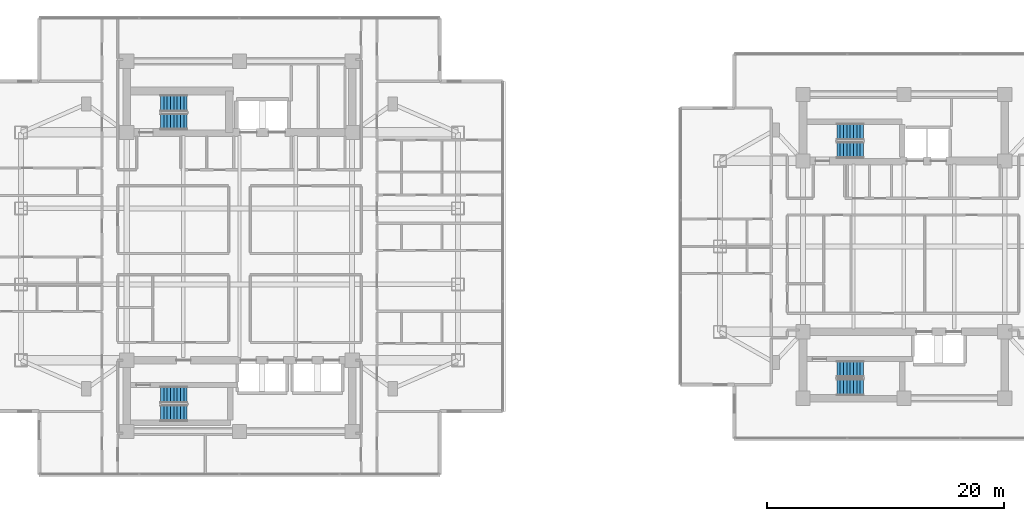
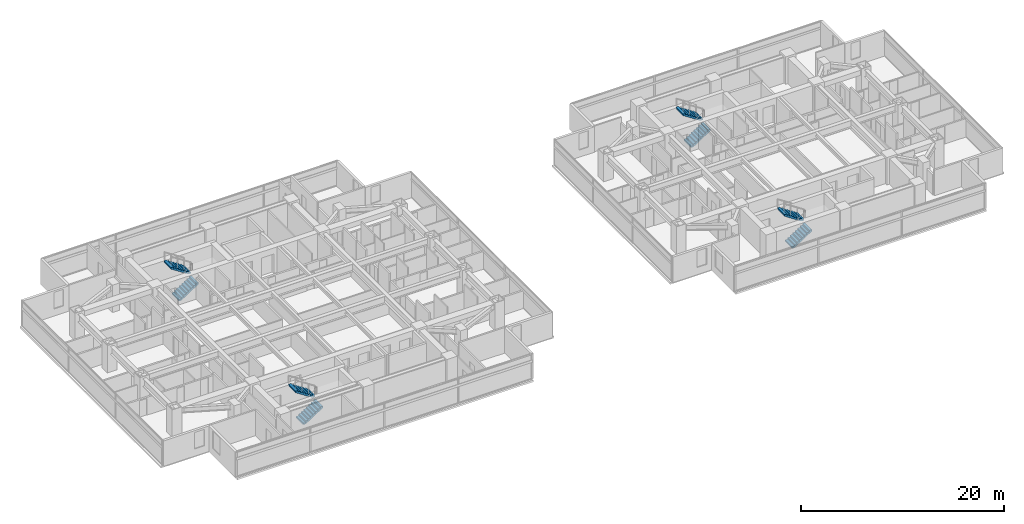
# One storey, part 20 of 25: 8 stair flights, 4 elements without a shape of their own.
"""IFC4 building model written with IfcOpenShell, lengths in metres."""

from ifc_helpers import new_model, si_unit, direction, frame, origin, place, context, subcontext, project, spatial, polyline, outline, extrude, material, type_object, element, aggregate, save


model = new_model("IFC4")

# Units and contexts
model_context = context("Model", 3, precision=1e-05, world=origin(), true_north=direction((0.0, 1.0)))
body_context = subcontext(model_context, "Body", "Model", "MODEL_VIEW")
ifc_project = project(units=[si_unit("LENGTHUNIT", "METRE"), si_unit("AREAUNIT", "SQUARE_METRE"), si_unit("VOLUMEUNIT", "CUBIC_METRE"), si_unit("PLANEANGLEUNIT", "RADIAN"), si_unit("MASSUNIT", "GRAM", prefix="KILO")], contexts=[model_context])

# Site, building, storey
site_placement = place(None, origin())
site = spatial("IfcSite", under=ifc_project, at=site_placement, CompositionType="ELEMENT")
building_placement = place(site_placement, origin())
building = spatial("IfcBuilding", under=site, at=building_placement, Name="Mirazonda Arch Towers", CompositionType="ELEMENT")
storey_placement = place(building_placement, frame((0.0, 0.0, 111.5)))
storey = spatial("IfcBuildingStorey", under=building, at=storey_placement, Name="L31", CompositionType="ELEMENT", Elevation=111.5)

# Stair, stair flights
ifc_material = material(Name="Concrete C40/50", Category="concrete")
stair_type = type_object("IfcStairType", Name="STAIR-CORE-1400", PredefinedType="HALF_TURN_STAIR", material=ifc_material)
stair_1_placement = place(storey_placement, origin())
stair_1 = element("IfcStair", 1, at=stair_1_placement, inside=storey, type_object=stair_type, Name="L31 Protected Exit Stair ST-T1N", PredefinedType="HALF_TURN_STAIR")
stair_flight_type = type_object("IfcStairFlightType", Name="FLIGHT-1400", PredefinedType="STRAIGHT", material=ifc_material)
stair_flight_1_placement = place(storey_placement, frame((13.85009765625, 38.52001953125, 0.0), z_axis=(0.0, 0.0, 1.0), x_axis=(1.0, 0.0, 0.0)))
stair_flight_1 = element("IfcStairFlight", 2, at=stair_flight_1_placement, type_object=stair_flight_type, Name="ST-T1N flight 1", NumberOfRisers=9, NumberOfTreads=8, PredefinedType="STRAIGHT", RiserHeight=0.183333333, TreadLength=0.28, context=body_context, shape_type="SweptSolid", body=[
    extrude(outline(polyline([(0.0, 0.0), (0.0, 0.183349609375), (0.280029296875, 0.183349609375), (0.280029296875, 0.36669921875), (0.56005859375, 0.36669921875), (0.56005859375, 0.550048828125), (0.840087890625, 0.550048828125), (0.840087890625, 0.7333984375), (1.1201171875, 0.7333984375), (1.1201171875, 0.916748046875), (1.39990234375, 0.916748046875), (1.39990234375, 1.10009765625), (1.679931640625, 1.10009765625), (1.679931640625, 1.283447265625), (1.9599609375, 1.283447265625), (1.9599609375, 1.466552734375), (2.239990234375, 1.466552734375), (2.239990234375, 1.64990234375), (2.239990234375, 1.275634765625), (0.2919921875, 0.0), (0.0, 0.0)])), frame((0.0, 0.699951171875, 0.0), z_axis=(0.0, -1.0, 0.0), x_axis=(1.0, 0.0, 0.0)), (0.0, 0.0, 1.0), 1.39990234375),
])
stair_flight_2_placement = place(storey_placement, frame((16.090087890625, 40.06005859375, 1.64990234375), z_axis=(0.0, 0.0, 1.0), x_axis=(-1.0, 0.0, 0.0)))
stair_flight_2 = element("IfcStairFlight", 3, at=stair_flight_2_placement, type_object=stair_flight_type, Name="ST-T1N flight 2", NumberOfRisers=9, NumberOfTreads=8, PredefinedType="STRAIGHT", RiserHeight=0.183333333, TreadLength=0.28, context=body_context, shape_type="SweptSolid", body=[
    extrude(outline(polyline([(0.0, 0.0), (0.0, 0.183349609375), (0.280029296875, 0.183349609375), (0.280029296875, 0.36669921875), (0.56005859375, 0.36669921875), (0.56005859375, 0.550048828125), (0.840087890625, 0.550048828125), (0.840087890625, 0.7333984375), (1.1201171875, 0.7333984375), (1.1201171875, 0.916748046875), (1.39990234375, 0.916748046875), (1.39990234375, 1.10009765625), (1.679931640625, 1.10009765625), (1.679931640625, 1.283447265625), (1.9599609375, 1.283447265625), (1.9599609375, 1.466552734375), (2.239990234375, 1.466552734375), (2.239990234375, 1.64990234375), (2.239990234375, 1.275634765625), (0.2919921875, 0.0), (0.0, 0.0)])), frame((0.0, 0.699951171875, 0.0), z_axis=(0.0, -1.0, 0.0), x_axis=(1.0, 0.0, 0.0)), (0.0, 0.0, 1.0), 1.39990234375),
])
aggregate(stair_1, [stair_flight_1, stair_flight_2])

stair_2_placement = place(storey_placement, origin())
stair_2 = element("IfcStair", 4, at=stair_2_placement, inside=storey, type_object=stair_type, Name="L31 Protected Exit Stair ST-T1S", PredefinedType="HALF_TURN_STAIR")
stair_flight_3_placement = place(storey_placement, frame((13.85009765625, 13.949951171875, 0.0), z_axis=(0.0, 0.0, 1.0), x_axis=(1.0, 0.0, 0.0)))
stair_flight_3 = element("IfcStairFlight", 5, at=stair_flight_3_placement, type_object=stair_flight_type, Name="ST-T1S flight 1", NumberOfRisers=9, NumberOfTreads=8, PredefinedType="STRAIGHT", RiserHeight=0.183333333, TreadLength=0.28, context=body_context, shape_type="SweptSolid", body=[
    extrude(outline(polyline([(0.0, 0.0), (0.0, 0.183349609375), (0.280029296875, 0.183349609375), (0.280029296875, 0.36669921875), (0.56005859375, 0.36669921875), (0.56005859375, 0.550048828125), (0.840087890625, 0.550048828125), (0.840087890625, 0.7333984375), (1.1201171875, 0.7333984375), (1.1201171875, 0.916748046875), (1.39990234375, 0.916748046875), (1.39990234375, 1.10009765625), (1.679931640625, 1.10009765625), (1.679931640625, 1.283447265625), (1.9599609375, 1.283447265625), (1.9599609375, 1.466552734375), (2.239990234375, 1.466552734375), (2.239990234375, 1.64990234375), (2.239990234375, 1.275634765625), (0.2919921875, 0.0), (0.0, 0.0)])), frame((0.0, 0.699951171875, 0.0), z_axis=(0.0, -1.0, 0.0), x_axis=(1.0, 0.0, 0.0)), (0.0, 0.0, 1.0), 1.39990234375),
])
stair_flight_4_placement = place(storey_placement, frame((16.090087890625, 15.489990234375, 1.64990234375), z_axis=(0.0, 0.0, 1.0), x_axis=(-1.0, 0.0, 0.0)))
stair_flight_4 = element("IfcStairFlight", 6, at=stair_flight_4_placement, type_object=stair_flight_type, Name="ST-T1S flight 2", NumberOfRisers=9, NumberOfTreads=8, PredefinedType="STRAIGHT", RiserHeight=0.183333333, TreadLength=0.28, context=body_context, shape_type="SweptSolid", body=[
    extrude(outline(polyline([(0.0, 0.0), (0.0, 0.183349609375), (0.280029296875, 0.183349609375), (0.280029296875, 0.36669921875), (0.56005859375, 0.36669921875), (0.56005859375, 0.550048828125), (0.840087890625, 0.550048828125), (0.840087890625, 0.7333984375), (1.1201171875, 0.7333984375), (1.1201171875, 0.916748046875), (1.39990234375, 0.916748046875), (1.39990234375, 1.10009765625), (1.679931640625, 1.10009765625), (1.679931640625, 1.283447265625), (1.9599609375, 1.283447265625), (1.9599609375, 1.466552734375), (2.239990234375, 1.466552734375), (2.239990234375, 1.64990234375), (2.239990234375, 1.275634765625), (0.2919921875, 0.0), (0.0, 0.0)])), frame((0.0, 0.699951171875, 0.0), z_axis=(0.0, -1.0, 0.0), x_axis=(1.0, 0.0, 0.0)), (0.0, 0.0, 1.0), 1.39990234375),
])
aggregate(stair_2, [stair_flight_3, stair_flight_4])

stair_3_placement = place(storey_placement, origin())
stair_3 = element("IfcStair", 7, at=stair_3_placement, inside=storey, type_object=stair_type, Name="L31 Protected Exit Stair ST-T2N", PredefinedType="HALF_TURN_STAIR")
stair_flight_5_placement = place(storey_placement, frame((70.85009765625, 36.1201171875, 0.0), z_axis=(0.0, 0.0, 1.0), x_axis=(1.0, 0.0, 0.0)))
stair_flight_5 = element("IfcStairFlight", 8, at=stair_flight_5_placement, type_object=stair_flight_type, Name="ST-T2N flight 1", NumberOfRisers=9, NumberOfTreads=8, PredefinedType="STRAIGHT", RiserHeight=0.183333333, TreadLength=0.28, context=body_context, shape_type="SweptSolid", body=[
    extrude(outline(polyline([(0.0, 0.0), (0.0, 0.183349609375), (0.280029296875, 0.183349609375), (0.280029296875, 0.36669921875), (0.56005859375, 0.36669921875), (0.56005859375, 0.550048828125), (0.840087890625, 0.550048828125), (0.840087890625, 0.7333984375), (1.1201171875, 0.7333984375), (1.1201171875, 0.916748046875), (1.39990234375, 0.916748046875), (1.39990234375, 1.10009765625), (1.679931640625, 1.10009765625), (1.679931640625, 1.283447265625), (1.9599609375, 1.283447265625), (1.9599609375, 1.466552734375), (2.239990234375, 1.466552734375), (2.239990234375, 1.64990234375), (2.239990234375, 1.275634765625), (0.2919921875, 0.0), (0.0, 0.0)])), frame((0.0, 0.699951171875, 0.0), z_axis=(0.0, -1.0, 0.0), x_axis=(1.0, 0.0, 0.0)), (0.0, 0.0, 1.0), 1.39990234375),
])
stair_flight_6_placement = place(storey_placement, frame((73.090087890625, 37.659912109375, 1.64990234375), z_axis=(0.0, 0.0, 1.0), x_axis=(-1.0, 0.0, 0.0)))
stair_flight_6 = element("IfcStairFlight", 9, at=stair_flight_6_placement, type_object=stair_flight_type, Name="ST-T2N flight 2", NumberOfRisers=9, NumberOfTreads=8, PredefinedType="STRAIGHT", RiserHeight=0.183333333, TreadLength=0.28, context=body_context, shape_type="SweptSolid", body=[
    extrude(outline(polyline([(0.0, 0.0), (0.0, 0.183349609375), (0.280029296875, 0.183349609375), (0.280029296875, 0.36669921875), (0.56005859375, 0.36669921875), (0.56005859375, 0.550048828125), (0.840087890625, 0.550048828125), (0.840087890625, 0.7333984375), (1.1201171875, 0.7333984375), (1.1201171875, 0.916748046875), (1.39990234375, 0.916748046875), (1.39990234375, 1.10009765625), (1.679931640625, 1.10009765625), (1.679931640625, 1.283447265625), (1.9599609375, 1.283447265625), (1.9599609375, 1.466552734375), (2.239990234375, 1.466552734375), (2.239990234375, 1.64990234375), (2.239990234375, 1.275634765625), (0.2919921875, 0.0), (0.0, 0.0)])), frame((0.0, 0.699951171875, 0.0), z_axis=(0.0, -1.0, 0.0), x_axis=(1.0, 0.0, 0.0)), (0.0, 0.0, 1.0), 1.39990234375),
])
aggregate(stair_3, [stair_flight_5, stair_flight_6])

stair_4_placement = place(storey_placement, origin())
stair_4 = element("IfcStair", 10, at=stair_4_placement, inside=storey, type_object=stair_type, Name="L31 Protected Exit Stair ST-T2S", PredefinedType="HALF_TURN_STAIR")
stair_flight_7_placement = place(storey_placement, frame((70.85009765625, 16.1201171875, 0.0), z_axis=(0.0, 0.0, 1.0), x_axis=(1.0, 0.0, 0.0)))
stair_flight_7 = element("IfcStairFlight", 11, at=stair_flight_7_placement, type_object=stair_flight_type, Name="ST-T2S flight 1", NumberOfRisers=9, NumberOfTreads=8, PredefinedType="STRAIGHT", RiserHeight=0.183333333, TreadLength=0.28, context=body_context, shape_type="SweptSolid", body=[
    extrude(outline(polyline([(0.0, 0.0), (0.0, 0.183349609375), (0.280029296875, 0.183349609375), (0.280029296875, 0.36669921875), (0.56005859375, 0.36669921875), (0.56005859375, 0.550048828125), (0.840087890625, 0.550048828125), (0.840087890625, 0.7333984375), (1.1201171875, 0.7333984375), (1.1201171875, 0.916748046875), (1.39990234375, 0.916748046875), (1.39990234375, 1.10009765625), (1.679931640625, 1.10009765625), (1.679931640625, 1.283447265625), (1.9599609375, 1.283447265625), (1.9599609375, 1.466552734375), (2.239990234375, 1.466552734375), (2.239990234375, 1.64990234375), (2.239990234375, 1.275634765625), (0.2919921875, 0.0), (0.0, 0.0)])), frame((0.0, 0.699951171875, 0.0), z_axis=(0.0, -1.0, 0.0), x_axis=(1.0, 0.0, 0.0)), (0.0, 0.0, 1.0), 1.39990234375),
])
stair_flight_8_placement = place(storey_placement, frame((73.090087890625, 17.659912109375, 1.64990234375), z_axis=(0.0, 0.0, 1.0), x_axis=(-1.0, 0.0, 0.0)))
stair_flight_8 = element("IfcStairFlight", 12, at=stair_flight_8_placement, type_object=stair_flight_type, Name="ST-T2S flight 2", NumberOfRisers=9, NumberOfTreads=8, PredefinedType="STRAIGHT", RiserHeight=0.183333333, TreadLength=0.28, context=body_context, shape_type="SweptSolid", body=[
    extrude(outline(polyline([(0.0, 0.0), (0.0, 0.183349609375), (0.280029296875, 0.183349609375), (0.280029296875, 0.36669921875), (0.56005859375, 0.36669921875), (0.56005859375, 0.550048828125), (0.840087890625, 0.550048828125), (0.840087890625, 0.7333984375), (1.1201171875, 0.7333984375), (1.1201171875, 0.916748046875), (1.39990234375, 0.916748046875), (1.39990234375, 1.10009765625), (1.679931640625, 1.10009765625), (1.679931640625, 1.283447265625), (1.9599609375, 1.283447265625), (1.9599609375, 1.466552734375), (2.239990234375, 1.466552734375), (2.239990234375, 1.64990234375), (2.239990234375, 1.275634765625), (0.2919921875, 0.0), (0.0, 0.0)])), frame((0.0, 0.699951171875, 0.0), z_axis=(0.0, -1.0, 0.0), x_axis=(1.0, 0.0, 0.0)), (0.0, 0.0, 1.0), 1.39990234375),
])
aggregate(stair_4, [stair_flight_7, stair_flight_8])

save(model, "model.ifc")
